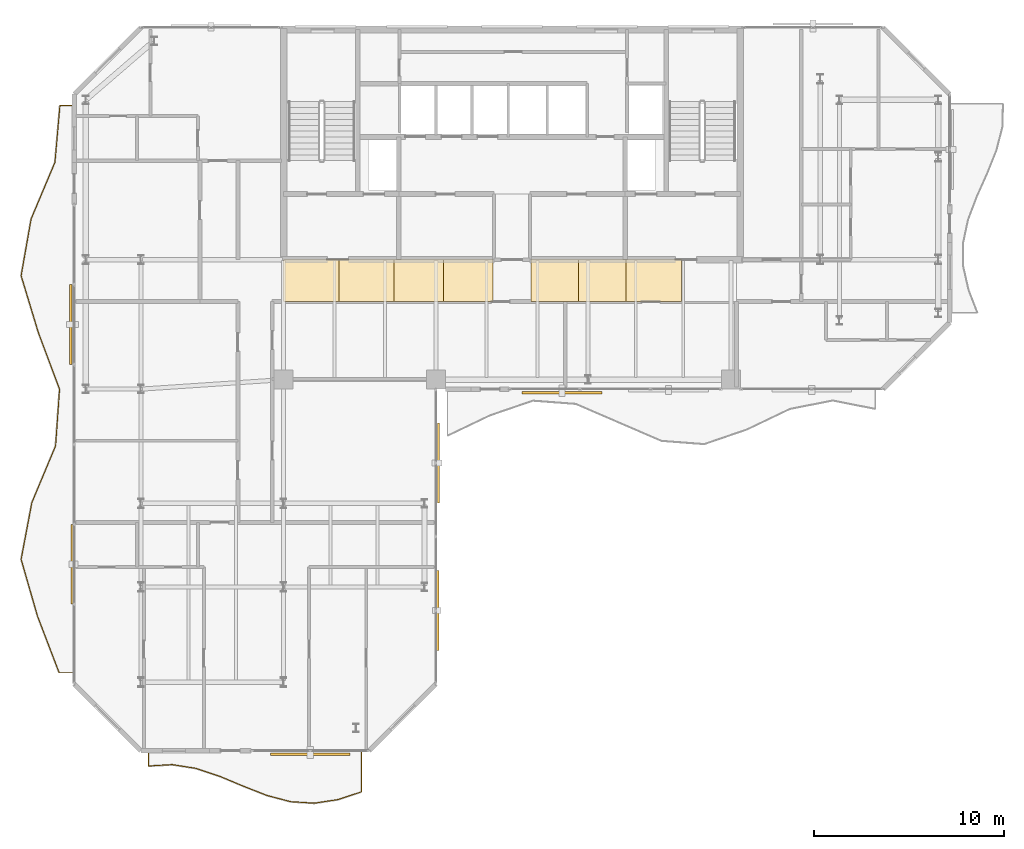
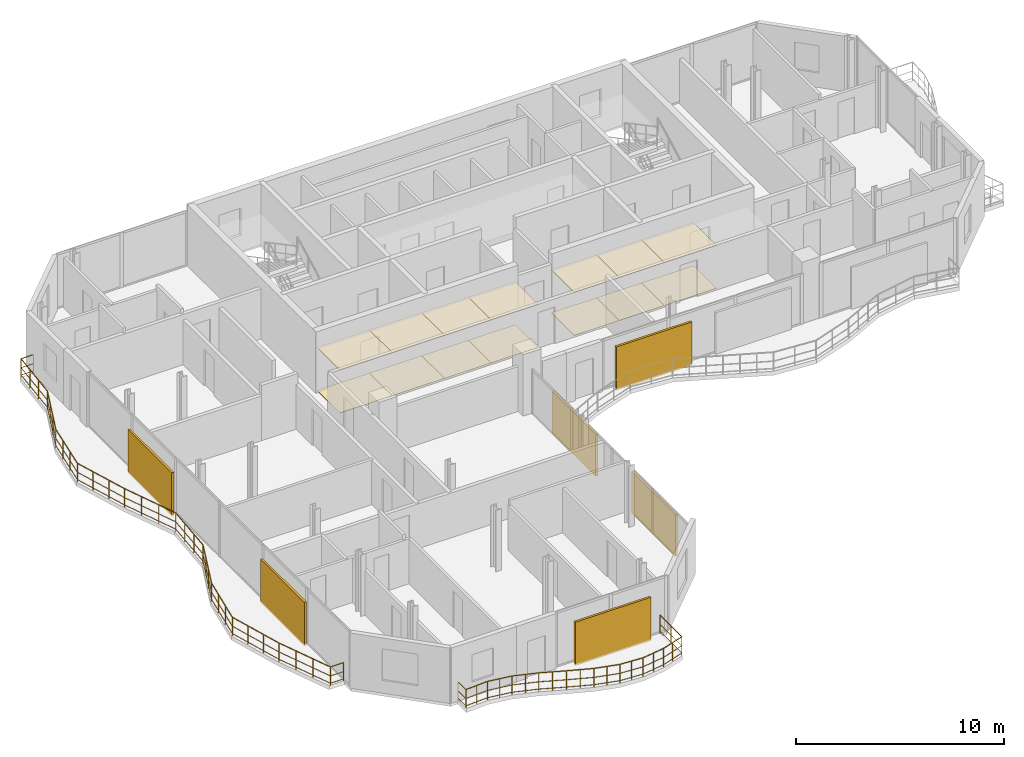
# One storey, part 21 of 23: 14 coverings, 6 shading devices, 2 railings.
"""IFC4 building model written with IfcOpenShell, lengths in metres."""

from ifc_helpers import new_model, si_unit, direction, frame, origin, origin_2d, place, context, subcontext, project, spatial, polyline, rectangle, circle, outline, extrude, material, layer, layer_set, type_object, element, save


model = new_model("IFC4")

# Units and contexts
model_context = context("Model", 3, precision=1e-05, world=origin(), true_north=direction((0.0, 1.0)))
body_context = subcontext(model_context, "Body", "Model", "MODEL_VIEW")
ifc_project = project(units=[si_unit("LENGTHUNIT", "METRE"), si_unit("AREAUNIT", "SQUARE_METRE"), si_unit("VOLUMEUNIT", "CUBIC_METRE"), si_unit("PLANEANGLEUNIT", "RADIAN"), si_unit("MASSUNIT", "GRAM", prefix="KILO")], contexts=[model_context])

# Site, building, storey
site_placement = place(None, origin())
site = spatial("IfcSite", under=ifc_project, at=site_placement, CompositionType="ELEMENT")
building_placement = place(site_placement, origin())
building = spatial("IfcBuilding", under=site, at=building_placement, Name="Catumbela Crestline Tower", CompositionType="ELEMENT")
storey_placement = place(building_placement, frame((0.0, 0.0, 204.6)))
storey = spatial("IfcBuildingStorey", under=building, at=storey_placement, Name="L53", CompositionType="ELEMENT", Elevation=204.6)

# Coverings
ifc_material_1 = material(Name="Mineral-fibre acoustic ceiling")
ifc_layer_1 = layer(ifc_material_1, 0.03, Name="Mineral-fibre acoustic ceiling")
ifc_layer_set_1 = layer_set([ifc_layer_1], Name="Mineral-fibre acoustic ceiling")
covering_type_1 = type_object("IfcCoveringType", Name="CC-AC", PredefinedType="CEILING", material=ifc_layer_set_1)
covering_1_placement = place(storey_placement, frame((0.0, 0.0, 2.52)))
element("IfcCovering", 1, at=covering_1_placement, inside=storey, type_object=covering_type_1, Name="L53 Corridor Acoustic Ceiling Bay 1", PredefinedType="CEILING", context=body_context, shape_type="SweptSolid", body=[
    extrude(outline(polyline([(16.0, 28.6), (18.9, 28.6), (18.9, 30.8), (16.0, 30.8), (16.0, 28.6)])), origin(), (0.0, 0.0, 1.0), 0.03),
])
covering_2_placement = place(storey_placement, frame((0.0, 0.0, 2.52)))
element("IfcCovering", 2, at=covering_2_placement, inside=storey, type_object=covering_type_1, Name="L53 Corridor Acoustic Ceiling Bay 2", PredefinedType="CEILING", context=body_context, shape_type="SweptSolid", body=[
    extrude(outline(polyline([(18.9, 28.6), (21.8, 28.6), (21.8, 30.8), (18.9, 30.8), (18.9, 28.6)])), origin(), (0.0, 0.0, 1.0), 0.03),
])
covering_3_placement = place(storey_placement, frame((0.0, 0.0, 2.52)))
element("IfcCovering", 3, at=covering_3_placement, inside=storey, type_object=covering_type_1, Name="L53 Corridor Acoustic Ceiling Bay 3", PredefinedType="CEILING", context=body_context, shape_type="SweptSolid", body=[
    extrude(outline(polyline([(21.8, 28.6), (24.4, 28.6), (24.4, 30.8), (21.8, 30.8), (21.8, 28.6)])), origin(), (0.0, 0.0, 1.0), 0.03),
])
covering_4_placement = place(storey_placement, frame((0.0, 0.0, 2.52)))
element("IfcCovering", 4, at=covering_4_placement, inside=storey, type_object=covering_type_1, Name="L53 Corridor Acoustic Ceiling Bay 4", PredefinedType="CEILING", context=body_context, shape_type="SweptSolid", body=[
    extrude(outline(polyline([(24.4, 28.6), (27.0, 28.6), (27.0, 30.8), (24.4, 30.8), (24.4, 28.6)])), origin(), (0.0, 0.0, 1.0), 0.03),
])
covering_5_placement = place(storey_placement, frame((0.0, 0.0, 2.52)))
element("IfcCovering", 5, at=covering_5_placement, inside=storey, type_object=covering_type_1, Name="L53 Corridor Acoustic Ceiling Bay 5", PredefinedType="CEILING", context=body_context, shape_type="SweptSolid", body=[
    extrude(outline(polyline([(29.0, 28.6), (31.5, 28.6), (31.5, 30.8), (29.0, 30.8), (29.0, 28.6)])), origin(), (0.0, 0.0, 1.0), 0.03),
])
covering_6_placement = place(storey_placement, frame((0.0, 0.0, 2.52)))
element("IfcCovering", 6, at=covering_6_placement, inside=storey, type_object=covering_type_1, Name="L53 Corridor Acoustic Ceiling Bay 6", PredefinedType="CEILING", context=body_context, shape_type="SweptSolid", body=[
    extrude(outline(polyline([(31.5, 28.6), (34.0, 28.6), (34.0, 30.8), (31.5, 30.8), (31.5, 28.6)])), origin(), (0.0, 0.0, 1.0), 0.03),
])
covering_7_placement = place(storey_placement, frame((0.0, 0.0, 2.52)))
element("IfcCovering", 7, at=covering_7_placement, inside=storey, type_object=covering_type_1, Name="L53 Corridor Acoustic Ceiling Bay 7", PredefinedType="CEILING", context=body_context, shape_type="SweptSolid", body=[
    extrude(outline(polyline([(34.0, 28.6), (36.9, 28.6), (36.9, 30.8), (34.0, 30.8), (34.0, 28.6)])), origin(), (0.0, 0.0, 1.0), 0.03),
])
ifc_material_2 = material(Name="Angolan grey-ochre granite", Category="masonry")
ifc_layer_2 = layer(ifc_material_2, 0.025, Name="Angolan grey-ochre granite")
ifc_layer_set_2 = layer_set([ifc_layer_2], Name="Angolan grey-ochre granite")
covering_type_2 = type_object("IfcCoveringType", Name="CF-GR", PredefinedType="FLOORING", material=ifc_layer_set_2)
covering_8_placement = place(storey_placement, origin())
element("IfcCovering", 8, at=covering_8_placement, inside=storey, type_object=covering_type_2, Name="L53 Corridor Granite Flooring Bay 1", PredefinedType="FLOORING", context=body_context, shape_type="SweptSolid", body=[
    extrude(outline(polyline([(16.0, 28.6), (18.9, 28.6), (18.9, 30.8), (16.0, 30.8), (16.0, 28.6)])), origin(), (0.0, 0.0, 1.0), 0.025),
])
covering_9_placement = place(storey_placement, origin())
element("IfcCovering", 9, at=covering_9_placement, inside=storey, type_object=covering_type_2, Name="L53 Corridor Granite Flooring Bay 2", PredefinedType="FLOORING", context=body_context, shape_type="SweptSolid", body=[
    extrude(outline(polyline([(18.9, 28.6), (21.8, 28.6), (21.8, 30.8), (18.9, 30.8), (18.9, 28.6)])), origin(), (0.0, 0.0, 1.0), 0.025),
])
covering_10_placement = place(storey_placement, origin())
element("IfcCovering", 10, at=covering_10_placement, inside=storey, type_object=covering_type_2, Name="L53 Corridor Granite Flooring Bay 3", PredefinedType="FLOORING", context=body_context, shape_type="SweptSolid", body=[
    extrude(outline(polyline([(21.8, 28.6), (24.4, 28.6), (24.4, 30.8), (21.8, 30.8), (21.8, 28.6)])), origin(), (0.0, 0.0, 1.0), 0.025),
])
covering_11_placement = place(storey_placement, origin())
element("IfcCovering", 11, at=covering_11_placement, inside=storey, type_object=covering_type_2, Name="L53 Corridor Granite Flooring Bay 4", PredefinedType="FLOORING", context=body_context, shape_type="SweptSolid", body=[
    extrude(outline(polyline([(24.4, 28.6), (27.0, 28.6), (27.0, 30.8), (24.4, 30.8), (24.4, 28.6)])), origin(), (0.0, 0.0, 1.0), 0.025),
])
covering_12_placement = place(storey_placement, origin())
element("IfcCovering", 12, at=covering_12_placement, inside=storey, type_object=covering_type_2, Name="L53 Corridor Granite Flooring Bay 5", PredefinedType="FLOORING", context=body_context, shape_type="SweptSolid", body=[
    extrude(outline(polyline([(29.0, 28.6), (31.5, 28.6), (31.5, 30.8), (29.0, 30.8), (29.0, 28.6)])), origin(), (0.0, 0.0, 1.0), 0.025),
])
covering_13_placement = place(storey_placement, origin())
element("IfcCovering", 13, at=covering_13_placement, inside=storey, type_object=covering_type_2, Name="L53 Corridor Granite Flooring Bay 6", PredefinedType="FLOORING", context=body_context, shape_type="SweptSolid", body=[
    extrude(outline(polyline([(31.5, 28.6), (34.0, 28.6), (34.0, 30.8), (31.5, 30.8), (31.5, 28.6)])), origin(), (0.0, 0.0, 1.0), 0.025),
])
covering_14_placement = place(storey_placement, origin())
element("IfcCovering", 14, at=covering_14_placement, inside=storey, type_object=covering_type_2, Name="L53 Corridor Granite Flooring Bay 7", PredefinedType="FLOORING", context=body_context, shape_type="SweptSolid", body=[
    extrude(outline(polyline([(34.0, 28.6), (36.9, 28.6), (36.9, 30.8), (34.0, 30.8), (34.0, 28.6)])), origin(), (0.0, 0.0, 1.0), 0.025),
])

# Railings
ifc_material_3 = material(Name="Stainless steel EN 1.4401", Category="steel")
railing_type = type_object("IfcRailingType", Name="RB-1100", PredefinedType="BALUSTRADE", material=ifc_material_3)
railing_1_placement = place(storey_placement, frame((8.9, 4.94, 0.0)))
element("IfcRailing", 15, at=railing_1_placement, inside=storey, type_object=railing_type, Name="L53 Private Wave Balcony Balustrade 3", PredefinedType="BALUSTRADE", context=body_context, shape_type="SweptSolid", body=[
    extrude(circle(Radius=0.024, at=origin_2d()), frame((0.0, 0.0, 1.076), z_axis=(0.0, -1.0, 0.0), x_axis=(1.0, 0.0, 0.0)), (0.0, 0.0, 1.0), 0.7402),
    extrude(circle(Radius=0.0156, at=origin_2d()), frame((0.0, 0.0, 0.55), z_axis=(0.0, -1.0, 0.0), x_axis=(1.0, 0.0, 0.0)), (0.0, 0.0, 1.0), 0.7402),
    extrude(circle(Radius=0.0156, at=origin_2d()), frame((0.0, 0.0, 0.12), z_axis=(0.0, -1.0, 0.0), x_axis=(1.0, 0.0, 0.0)), (0.0, 0.0, 1.0), 0.7402),
    extrude(circle(Radius=0.024, at=origin_2d()), frame((0.0, -0.7402, 1.076), z_axis=(0.998302474505, 0.058242333373, 0.0), x_axis=(-0.058242333373, 0.998302474505, 0.0)), (0.0, 0.0, 1.0), 1.2465),
    extrude(circle(Radius=0.0156, at=origin_2d()), frame((0.0, -0.7402, 0.55), z_axis=(0.998302474505, 0.058242333373, 0.0), x_axis=(-0.058242333373, 0.998302474505, 0.0)), (0.0, 0.0, 1.0), 1.2465),
    extrude(circle(Radius=0.0156, at=origin_2d()), frame((0.0, -0.7402, 0.12), z_axis=(0.998302474505, 0.058242333373, 0.0), x_axis=(-0.058242333373, 0.998302474505, 0.0)), (0.0, 0.0, 1.0), 1.2465),
    extrude(circle(Radius=0.024, at=origin_2d()), frame((1.2444, -0.6676, 1.076), z_axis=(0.987775189756, -0.155885132397, 0.0), x_axis=(0.155885132397, 0.987775189756, 0.0)), (0.0, 0.0, 1.0), 1.2599),
    extrude(circle(Radius=0.0156, at=origin_2d()), frame((1.2444, -0.6676, 0.55), z_axis=(0.987775189756, -0.155885132397, 0.0), x_axis=(0.155885132397, 0.987775189756, 0.0)), (0.0, 0.0, 1.0), 1.2599),
    extrude(circle(Radius=0.0156, at=origin_2d()), frame((1.2444, -0.6676, 0.12), z_axis=(0.987775189756, -0.155885132397, 0.0), x_axis=(0.155885132397, 0.987775189756, 0.0)), (0.0, 0.0, 1.0), 1.2599),
    extrude(circle(Radius=0.024, at=origin_2d()), frame((2.4889, -0.864, 1.076), z_axis=(0.949071544153, -0.315060635559, 0.0), x_axis=(0.315060635559, 0.949071544153, 0.0)), (0.0, 0.0, 1.0), 1.3112),
    extrude(circle(Radius=0.0156, at=origin_2d()), frame((2.4889, -0.864, 0.55), z_axis=(0.949071544153, -0.315060635559, 0.0), x_axis=(0.315060635559, 0.949071544153, 0.0)), (0.0, 0.0, 1.0), 1.3112),
    extrude(circle(Radius=0.0156, at=origin_2d()), frame((2.4889, -0.864, 0.12), z_axis=(0.949071544153, -0.315060635559, 0.0), x_axis=(0.315060635559, 0.949071544153, 0.0)), (0.0, 0.0, 1.0), 1.3112),
    extrude(circle(Radius=0.024, at=origin_2d()), frame((3.7333, -1.2771, 1.076), z_axis=(0.922666218007, -0.385599598221, 0.0), x_axis=(0.385599598221, 0.922666218007, 0.0)), (0.0, 0.0, 1.0), 1.3488),
    extrude(circle(Radius=0.0156, at=origin_2d()), frame((3.7333, -1.2771, 0.55), z_axis=(0.922666218007, -0.385599598221, 0.0), x_axis=(0.385599598221, 0.922666218007, 0.0)), (0.0, 0.0, 1.0), 1.3488),
    extrude(circle(Radius=0.0156, at=origin_2d()), frame((3.7333, -1.2771, 0.12), z_axis=(0.922666218007, -0.385599598221, 0.0), x_axis=(0.385599598221, 0.922666218007, 0.0)), (0.0, 0.0, 1.0), 1.3488),
    extrude(circle(Radius=0.024, at=origin_2d()), frame((4.9778, -1.7972, 1.076), z_axis=(0.930718762797, -0.365735675834, 0.0), x_axis=(0.365735675834, 0.930718762797, 0.0)), (0.0, 0.0, 1.0), 1.337),
    extrude(circle(Radius=0.0156, at=origin_2d()), frame((4.9778, -1.7972, 0.55), z_axis=(0.930718762797, -0.365735675834, 0.0), x_axis=(0.365735675834, 0.930718762797, 0.0)), (0.0, 0.0, 1.0), 1.337),
    extrude(circle(Radius=0.0156, at=origin_2d()), frame((4.9778, -1.7972, 0.12), z_axis=(0.930718762797, -0.365735675834, 0.0), x_axis=(0.365735675834, 0.930718762797, 0.0)), (0.0, 0.0, 1.0), 1.337),
    extrude(circle(Radius=0.024, at=origin_2d()), frame((6.2222, -2.2862, 1.076), z_axis=(0.96697885349, -0.254856620285, 0.0), x_axis=(0.254856620285, 0.96697885349, 0.0)), (0.0, 0.0, 1.0), 1.287),
    extrude(circle(Radius=0.0156, at=origin_2d()), frame((6.2222, -2.2862, 0.55), z_axis=(0.96697885349, -0.254856620285, 0.0), x_axis=(0.254856620285, 0.96697885349, 0.0)), (0.0, 0.0, 1.0), 1.287),
    extrude(circle(Radius=0.0156, at=origin_2d()), frame((6.2222, -2.2862, 0.12), z_axis=(0.96697885349, -0.254856620285, 0.0), x_axis=(0.254856620285, 0.96697885349, 0.0)), (0.0, 0.0, 1.0), 1.287),
    extrude(circle(Radius=0.024, at=origin_2d()), frame((7.4667, -2.6142, 1.076), z_axis=(0.997950165326, -0.063995839917, 0.0), x_axis=(0.063995839917, 0.997950165326, 0.0)), (0.0, 0.0, 1.0), 1.247),
    extrude(circle(Radius=0.0156, at=origin_2d()), frame((7.4667, -2.6142, 0.55), z_axis=(0.997950165326, -0.063995839917, 0.0), x_axis=(0.063995839917, 0.997950165326, 0.0)), (0.0, 0.0, 1.0), 1.247),
    extrude(circle(Radius=0.0156, at=origin_2d()), frame((7.4667, -2.6142, 0.12), z_axis=(0.997950165326, -0.063995839917, 0.0), x_axis=(0.063995839917, 0.997950165326, 0.0)), (0.0, 0.0, 1.0), 1.247),
    extrude(circle(Radius=0.024, at=origin_2d()), frame((8.7111, -2.694, 1.076), z_axis=(0.98860470661, 0.15053482676, 0.0), x_axis=(-0.15053482676, 0.98860470661, 0.0)), (0.0, 0.0, 1.0), 1.2588),
    extrude(circle(Radius=0.0156, at=origin_2d()), frame((8.7111, -2.694, 0.55), z_axis=(0.98860470661, 0.15053482676, 0.0), x_axis=(-0.15053482676, 0.98860470661, 0.0)), (0.0, 0.0, 1.0), 1.2588),
    extrude(circle(Radius=0.0156, at=origin_2d()), frame((8.7111, -2.694, 0.12), z_axis=(0.98860470661, 0.15053482676, 0.0), x_axis=(-0.15053482676, 0.98860470661, 0.0)), (0.0, 0.0, 1.0), 1.2588),
    extrude(circle(Radius=0.024, at=origin_2d()), frame((9.9556, -2.5045, 1.076), z_axis=(0.950116461378, 0.31189535075, 0.0), x_axis=(-0.31189535075, 0.950116461378, 0.0)), (0.0, 0.0, 1.0), 1.3097),
    extrude(circle(Radius=0.0156, at=origin_2d()), frame((9.9556, -2.5045, 0.55), z_axis=(0.950116461378, 0.31189535075, 0.0), x_axis=(-0.31189535075, 0.950116461378, 0.0)), (0.0, 0.0, 1.0), 1.3097),
    extrude(circle(Radius=0.0156, at=origin_2d()), frame((9.9556, -2.5045, 0.12), z_axis=(0.950116461378, 0.31189535075, 0.0), x_axis=(-0.31189535075, 0.950116461378, 0.0)), (0.0, 0.0, 1.0), 1.3097),
    extrude(circle(Radius=0.024, at=origin_2d()), frame((11.2, -2.096, 1.076), z_axis=(0.0, 1.0, 0.0), x_axis=(-1.0, 0.0, 0.0)), (0.0, 0.0, 1.0), 2.096),
    extrude(circle(Radius=0.0156, at=origin_2d()), frame((11.2, -2.096, 0.55), z_axis=(0.0, 1.0, 0.0), x_axis=(-1.0, 0.0, 0.0)), (0.0, 0.0, 1.0), 2.096),
    extrude(circle(Radius=0.0156, at=origin_2d()), frame((11.2, -2.096, 0.12), z_axis=(0.0, 1.0, 0.0), x_axis=(-1.0, 0.0, 0.0)), (0.0, 0.0, 1.0), 2.096),
    extrude(circle(Radius=0.021, at=origin_2d()), origin(), (0.0, 0.0, 1.0), 1.052),
    extrude(circle(Radius=0.021, at=origin_2d()), frame((0.0, -0.7402, 0.0)), (0.0, 0.0, 1.0), 1.052),
    extrude(circle(Radius=0.021, at=origin_2d()), frame((0.6222, -0.7039, 0.0)), (0.0, 0.0, 1.0), 1.052),
    extrude(circle(Radius=0.021, at=origin_2d()), frame((1.2444, -0.6676, 0.0)), (0.0, 0.0, 1.0), 1.052),
    extrude(circle(Radius=0.021, at=origin_2d()), frame((1.8666, -0.7658, 0.0)), (0.0, 0.0, 1.0), 1.052),
    extrude(circle(Radius=0.021, at=origin_2d()), frame((2.4889, -0.864, 0.0)), (0.0, 0.0, 1.0), 1.052),
    extrude(circle(Radius=0.021, at=origin_2d()), frame((3.1111, -1.0706, 0.0)), (0.0, 0.0, 1.0), 1.052),
    extrude(circle(Radius=0.021, at=origin_2d()), frame((3.7333, -1.2771, 0.0)), (0.0, 0.0, 1.0), 1.052),
    extrude(circle(Radius=0.021, at=origin_2d()), frame((4.3556, -1.5372, 0.0)), (0.0, 0.0, 1.0), 1.052),
    extrude(circle(Radius=0.021, at=origin_2d()), frame((4.9778, -1.7972, 0.0)), (0.0, 0.0, 1.0), 1.052),
    extrude(circle(Radius=0.021, at=origin_2d()), frame((5.6, -2.0417, 0.0)), (0.0, 0.0, 1.0), 1.052),
    extrude(circle(Radius=0.021, at=origin_2d()), frame((6.2222, -2.2862, 0.0)), (0.0, 0.0, 1.0), 1.052),
    extrude(circle(Radius=0.021, at=origin_2d()), frame((6.8444, -2.4502, 0.0)), (0.0, 0.0, 1.0), 1.052),
    extrude(circle(Radius=0.021, at=origin_2d()), frame((7.4667, -2.6142, 0.0)), (0.0, 0.0, 1.0), 1.052),
    extrude(circle(Radius=0.021, at=origin_2d()), frame((8.0889, -2.6541, 0.0)), (0.0, 0.0, 1.0), 1.052),
    extrude(circle(Radius=0.021, at=origin_2d()), frame((8.7111, -2.694, 0.0)), (0.0, 0.0, 1.0), 1.052),
    extrude(circle(Radius=0.021, at=origin_2d()), frame((9.3334, -2.5993, 0.0)), (0.0, 0.0, 1.0), 1.052),
    extrude(circle(Radius=0.021, at=origin_2d()), frame((9.9556, -2.5045, 0.0)), (0.0, 0.0, 1.0), 1.052),
    extrude(circle(Radius=0.021, at=origin_2d()), frame((10.5778, -2.3002, 0.0)), (0.0, 0.0, 1.0), 1.052),
    extrude(circle(Radius=0.021, at=origin_2d()), frame((11.2, -2.096, 0.0)), (0.0, 0.0, 1.0), 1.052),
    extrude(circle(Radius=0.021, at=origin_2d()), frame((11.2, -1.048, 0.0)), (0.0, 0.0, 1.0), 1.052),
    extrude(circle(Radius=0.021, at=origin_2d()), frame((11.2, 0.0, 0.0)), (0.0, 0.0, 1.0), 1.052),
])
railing_2_placement = place(storey_placement, frame((4.94, 38.9, 0.0)))
element("IfcRailing", 16, at=railing_2_placement, inside=storey, type_object=railing_type, Name="L53 Private Wave Balcony Balustrade 4", PredefinedType="BALUSTRADE", context=body_context, shape_type="SweptSolid", body=[
    extrude(circle(Radius=0.024, at=origin_2d()), frame((0.0, 0.0, 1.076), z_axis=(-1.0, 0.0, 0.0), x_axis=(0.0, -1.0, 0.0)), (0.0, 0.0, 1.0), 0.6926),
    extrude(circle(Radius=0.0156, at=origin_2d()), frame((0.0, 0.0, 0.55), z_axis=(-1.0, 0.0, 0.0), x_axis=(0.0, -1.0, 0.0)), (0.0, 0.0, 1.0), 0.6926),
    extrude(circle(Radius=0.0156, at=origin_2d()), frame((0.0, 0.0, 0.12), z_axis=(-1.0, 0.0, 0.0), x_axis=(0.0, -1.0, 0.0)), (0.0, 0.0, 1.0), 0.6926),
    extrude(circle(Radius=0.024, at=origin_2d()), frame((-0.6926, 0.0, 1.076), z_axis=(-0.086752236148, -0.996229918003, 0.0), x_axis=(0.996229918003, -0.086752236148, 0.0)), (0.0, 0.0, 1.0), 2.9913),
    extrude(circle(Radius=0.0156, at=origin_2d()), frame((-0.6926, 0.0, 0.55), z_axis=(-0.086752236148, -0.996229918003, 0.0), x_axis=(0.996229918003, -0.086752236148, 0.0)), (0.0, 0.0, 1.0), 2.9913),
    extrude(circle(Radius=0.0156, at=origin_2d()), frame((-0.6926, 0.0, 0.12), z_axis=(-0.086752236148, -0.996229918003, 0.0), x_axis=(0.996229918003, -0.086752236148, 0.0)), (0.0, 0.0, 1.0), 2.9913),
    extrude(circle(Radius=0.024, at=origin_2d()), frame((-0.9521, -2.98, 1.076), z_axis=(-0.387810849526, -0.921738978773, 0.0), x_axis=(0.921738978773, -0.387810849526, 0.0)), (0.0, 0.0, 1.0), 3.233),
    extrude(circle(Radius=0.0156, at=origin_2d()), frame((-0.9521, -2.98, 0.55), z_axis=(-0.387810849526, -0.921738978773, 0.0), x_axis=(0.921738978773, -0.387810849526, 0.0)), (0.0, 0.0, 1.0), 3.233),
    extrude(circle(Radius=0.0156, at=origin_2d()), frame((-0.9521, -2.98, 0.12), z_axis=(-0.387810849526, -0.921738978773, 0.0), x_axis=(0.921738978773, -0.387810849526, 0.0)), (0.0, 0.0, 1.0), 3.233),
    extrude(circle(Radius=0.024, at=origin_2d()), frame((-2.2059, -5.96, 1.076), z_axis=(-0.173214031015, -0.984884206117, 0.0), x_axis=(0.984884206117, -0.173214031015, 0.0)), (0.0, 0.0, 1.0), 3.0257),
    extrude(circle(Radius=0.0156, at=origin_2d()), frame((-2.2059, -5.96, 0.55), z_axis=(-0.173214031015, -0.984884206117, 0.0), x_axis=(0.984884206117, -0.173214031015, 0.0)), (0.0, 0.0, 1.0), 3.0257),
    extrude(circle(Radius=0.0156, at=origin_2d()), frame((-2.2059, -5.96, 0.12), z_axis=(-0.173214031015, -0.984884206117, 0.0), x_axis=(0.984884206117, -0.173214031015, 0.0)), (0.0, 0.0, 1.0), 3.0257),
    extrude(circle(Radius=0.024, at=origin_2d()), frame((-2.73, -8.94, 1.076), z_axis=(0.290027895688, -0.95701819195, 0.0), x_axis=(0.95701819195, 0.290027895688, 0.0)), (0.0, 0.0, 1.0), 3.1138),
    extrude(circle(Radius=0.0156, at=origin_2d()), frame((-2.73, -8.94, 0.55), z_axis=(0.290027895688, -0.95701819195, 0.0), x_axis=(0.95701819195, 0.290027895688, 0.0)), (0.0, 0.0, 1.0), 3.1138),
    extrude(circle(Radius=0.0156, at=origin_2d()), frame((-2.73, -8.94, 0.12), z_axis=(0.290027895688, -0.95701819195, 0.0), x_axis=(0.95701819195, 0.290027895688, 0.0)), (0.0, 0.0, 1.0), 3.1138),
    extrude(circle(Radius=0.024, at=origin_2d()), frame((-1.8269, -11.92, 1.076), z_axis=(0.350462058547, -0.936576929846, 0.0), x_axis=(0.936576929846, 0.350462058547, 0.0)), (0.0, 0.0, 1.0), 3.1818),
    extrude(circle(Radius=0.0156, at=origin_2d()), frame((-1.8269, -11.92, 0.55), z_axis=(0.350462058547, -0.936576929846, 0.0), x_axis=(0.936576929846, 0.350462058547, 0.0)), (0.0, 0.0, 1.0), 3.1818),
    extrude(circle(Radius=0.0156, at=origin_2d()), frame((-1.8269, -11.92, 0.12), z_axis=(0.350462058547, -0.936576929846, 0.0), x_axis=(0.936576929846, 0.350462058547, 0.0)), (0.0, 0.0, 1.0), 3.1818),
    extrude(circle(Radius=0.024, at=origin_2d()), frame((-0.7118, -14.9, 1.076), z_axis=(-0.069462682638, -0.997584550663, 0.0), x_axis=(0.997584550663, -0.069462682638, 0.0)), (0.0, 0.0, 1.0), 2.9872),
    extrude(circle(Radius=0.0156, at=origin_2d()), frame((-0.7118, -14.9, 0.55), z_axis=(-0.069462682638, -0.997584550663, 0.0), x_axis=(0.997584550663, -0.069462682638, 0.0)), (0.0, 0.0, 1.0), 2.9872),
    extrude(circle(Radius=0.0156, at=origin_2d()), frame((-0.7118, -14.9, 0.12), z_axis=(-0.069462682638, -0.997584550663, 0.0), x_axis=(0.997584550663, -0.069462682638, 0.0)), (0.0, 0.0, 1.0), 2.9872),
    extrude(circle(Radius=0.024, at=origin_2d()), frame((-0.9193, -17.88, 1.076), z_axis=(-0.385942663406, -0.922522769672, 0.0), x_axis=(0.922522769672, -0.385942663406, 0.0)), (0.0, 0.0, 1.0), 3.2303),
    extrude(circle(Radius=0.0156, at=origin_2d()), frame((-0.9193, -17.88, 0.55), z_axis=(-0.385942663406, -0.922522769672, 0.0), x_axis=(0.922522769672, -0.385942663406, 0.0)), (0.0, 0.0, 1.0), 3.2303),
    extrude(circle(Radius=0.0156, at=origin_2d()), frame((-0.9193, -17.88, 0.12), z_axis=(-0.385942663406, -0.922522769672, 0.0), x_axis=(0.922522769672, -0.385942663406, 0.0)), (0.0, 0.0, 1.0), 3.2303),
    extrude(circle(Radius=0.024, at=origin_2d()), frame((-2.166, -20.86, 1.076), z_axis=(-0.185960494368, -0.982557222015, 0.0), x_axis=(0.982557222015, -0.185960494368, 0.0)), (0.0, 0.0, 1.0), 3.0329),
    extrude(circle(Radius=0.0156, at=origin_2d()), frame((-2.166, -20.86, 0.55), z_axis=(-0.185960494368, -0.982557222015, 0.0), x_axis=(0.982557222015, -0.185960494368, 0.0)), (0.0, 0.0, 1.0), 3.0329),
    extrude(circle(Radius=0.0156, at=origin_2d()), frame((-2.166, -20.86, 0.12), z_axis=(-0.185960494368, -0.982557222015, 0.0), x_axis=(0.982557222015, -0.185960494368, 0.0)), (0.0, 0.0, 1.0), 3.0329),
    extrude(circle(Radius=0.024, at=origin_2d()), frame((-2.73, -23.84, 1.076), z_axis=(0.276798825802, -0.960927890133, 0.0), x_axis=(0.960927890133, 0.276798825802, 0.0)), (0.0, 0.0, 1.0), 3.1012),
    extrude(circle(Radius=0.0156, at=origin_2d()), frame((-2.73, -23.84, 0.55), z_axis=(0.276798825802, -0.960927890133, 0.0), x_axis=(0.960927890133, 0.276798825802, 0.0)), (0.0, 0.0, 1.0), 3.1012),
    extrude(circle(Radius=0.0156, at=origin_2d()), frame((-2.73, -23.84, 0.12), z_axis=(0.276798825802, -0.960927890133, 0.0), x_axis=(0.960927890133, 0.276798825802, 0.0)), (0.0, 0.0, 1.0), 3.1012),
    extrude(circle(Radius=0.024, at=origin_2d()), frame((-1.8716, -26.82, 1.076), z_axis=(0.356997506143, -0.934105336998, 0.0), x_axis=(0.934105336998, 0.356997506143, 0.0)), (0.0, 0.0, 1.0), 3.1902),
    extrude(circle(Radius=0.0156, at=origin_2d()), frame((-1.8716, -26.82, 0.55), z_axis=(0.356997506143, -0.934105336998, 0.0), x_axis=(0.934105336998, 0.356997506143, 0.0)), (0.0, 0.0, 1.0), 3.1902),
    extrude(circle(Radius=0.0156, at=origin_2d()), frame((-1.8716, -26.82, 0.12), z_axis=(0.356997506143, -0.934105336998, 0.0), x_axis=(0.934105336998, 0.356997506143, 0.0)), (0.0, 0.0, 1.0), 3.1902),
    extrude(circle(Radius=0.024, at=origin_2d()), frame((-0.7327, -29.8, 1.076), z_axis=(1.0, 0.0, 0.0), x_axis=(0.0, 1.0, 0.0)), (0.0, 0.0, 1.0), 0.7327),
    extrude(circle(Radius=0.0156, at=origin_2d()), frame((-0.7327, -29.8, 0.55), z_axis=(1.0, 0.0, 0.0), x_axis=(0.0, 1.0, 0.0)), (0.0, 0.0, 1.0), 0.7327),
    extrude(circle(Radius=0.0156, at=origin_2d()), frame((-0.7327, -29.8, 0.12), z_axis=(1.0, 0.0, 0.0), x_axis=(0.0, 1.0, 0.0)), (0.0, 0.0, 1.0), 0.7327),
    extrude(circle(Radius=0.021, at=origin_2d()), origin(), (0.0, 0.0, 1.0), 1.052),
    extrude(circle(Radius=0.021, at=origin_2d()), frame((-0.6926, 0.0, 0.0)), (0.0, 0.0, 1.0), 1.052),
    extrude(circle(Radius=0.021, at=origin_2d()), frame((-0.7791, -0.9933, 0.0)), (0.0, 0.0, 1.0), 1.052),
    extrude(circle(Radius=0.021, at=origin_2d()), frame((-0.8656, -1.9867, 0.0)), (0.0, 0.0, 1.0), 1.052),
    extrude(circle(Radius=0.021, at=origin_2d()), frame((-0.9521, -2.98, 0.0)), (0.0, 0.0, 1.0), 1.052),
    extrude(circle(Radius=0.021, at=origin_2d()), frame((-1.37, -3.9733, 0.0)), (0.0, 0.0, 1.0), 1.052),
    extrude(circle(Radius=0.021, at=origin_2d()), frame((-1.788, -4.9667, 0.0)), (0.0, 0.0, 1.0), 1.052),
    extrude(circle(Radius=0.021, at=origin_2d()), frame((-2.2059, -5.96, 0.0)), (0.0, 0.0, 1.0), 1.052),
    extrude(circle(Radius=0.021, at=origin_2d()), frame((-2.3806, -6.9533, 0.0)), (0.0, 0.0, 1.0), 1.052),
    extrude(circle(Radius=0.021, at=origin_2d()), frame((-2.5553, -7.9467, 0.0)), (0.0, 0.0, 1.0), 1.052),
    extrude(circle(Radius=0.021, at=origin_2d()), frame((-2.73, -8.94, 0.0)), (0.0, 0.0, 1.0), 1.052),
    extrude(circle(Radius=0.021, at=origin_2d()), frame((-2.429, -9.9333, 0.0)), (0.0, 0.0, 1.0), 1.052),
    extrude(circle(Radius=0.021, at=origin_2d()), frame((-2.1279, -10.9267, 0.0)), (0.0, 0.0, 1.0), 1.052),
    extrude(circle(Radius=0.021, at=origin_2d()), frame((-1.8269, -11.92, 0.0)), (0.0, 0.0, 1.0), 1.052),
    extrude(circle(Radius=0.021, at=origin_2d()), frame((-1.4552, -12.9133, 0.0)), (0.0, 0.0, 1.0), 1.052),
    extrude(circle(Radius=0.021, at=origin_2d()), frame((-1.0835, -13.9067, 0.0)), (0.0, 0.0, 1.0), 1.052),
    extrude(circle(Radius=0.021, at=origin_2d()), frame((-0.7118, -14.9, 0.0)), (0.0, 0.0, 1.0), 1.052),
    extrude(circle(Radius=0.021, at=origin_2d()), frame((-0.781, -15.8933, 0.0)), (0.0, 0.0, 1.0), 1.052),
    extrude(circle(Radius=0.021, at=origin_2d()), frame((-0.8501, -16.8867, 0.0)), (0.0, 0.0, 1.0), 1.052),
    extrude(circle(Radius=0.021, at=origin_2d()), frame((-0.9193, -17.88, 0.0)), (0.0, 0.0, 1.0), 1.052),
    extrude(circle(Radius=0.021, at=origin_2d()), frame((-1.3349, -18.8733, 0.0)), (0.0, 0.0, 1.0), 1.052),
    extrude(circle(Radius=0.021, at=origin_2d()), frame((-1.7504, -19.8667, 0.0)), (0.0, 0.0, 1.0), 1.052),
    extrude(circle(Radius=0.021, at=origin_2d()), frame((-2.166, -20.86, 0.0)), (0.0, 0.0, 1.0), 1.052),
    extrude(circle(Radius=0.021, at=origin_2d()), frame((-2.354, -21.8533, 0.0)), (0.0, 0.0, 1.0), 1.052),
    extrude(circle(Radius=0.021, at=origin_2d()), frame((-2.542, -22.8467, 0.0)), (0.0, 0.0, 1.0), 1.052),
    extrude(circle(Radius=0.021, at=origin_2d()), frame((-2.73, -23.84, 0.0)), (0.0, 0.0, 1.0), 1.052),
    extrude(circle(Radius=0.021, at=origin_2d()), frame((-2.4439, -24.8333, 0.0)), (0.0, 0.0, 1.0), 1.052),
    extrude(circle(Radius=0.021, at=origin_2d()), frame((-2.1577, -25.8267, 0.0)), (0.0, 0.0, 1.0), 1.052),
    extrude(circle(Radius=0.021, at=origin_2d()), frame((-1.8716, -26.82, 0.0)), (0.0, 0.0, 1.0), 1.052),
    extrude(circle(Radius=0.021, at=origin_2d()), frame((-1.492, -27.8133, 0.0)), (0.0, 0.0, 1.0), 1.052),
    extrude(circle(Radius=0.021, at=origin_2d()), frame((-1.1123, -28.8067, 0.0)), (0.0, 0.0, 1.0), 1.052),
    extrude(circle(Radius=0.021, at=origin_2d()), frame((-0.7327, -29.8, 0.0)), (0.0, 0.0, 1.0), 1.052),
    extrude(circle(Radius=0.021, at=origin_2d()), frame((0.0, -29.8, 0.0)), (0.0, 0.0, 1.0), 1.052),
])

# Shading devices
ifc_material_4 = material(Name="Extruded terracotta ceramic", Category="masonry")
shading_device_type_1 = type_object("IfcShadingDeviceType", Name="ST-180", PredefinedType="USERDEFINED", material=ifc_material_4)
shading_device_1_placement = place(storey_placement, frame((24.099, 12.375, -0.1), z_axis=(0.0, 0.0, 1.0), x_axis=(0.0, 1.0, 0.0)))
element("IfcShadingDevice", 17, at=shading_device_1_placement, inside=storey, type_object=shading_device_type_1, Name="L53 Perforated Terracotta Solar Screen 641 (180 mm)", ObjectType="SCREEN", PredefinedType="USERDEFINED", context=body_context, shape_type="SweptSolid", body=[
    extrude(rectangle(XDim=4.2, YDim=0.12, at=origin_2d()), origin(), (0.0, 0.0, 1.0), 2.45),
])
shading_device_2_placement = place(storey_placement, frame((4.901, 14.8, -0.1), z_axis=(0.0, 0.0, 1.0), x_axis=(0.0, -1.0, 0.0)))
element("IfcShadingDevice", 18, at=shading_device_2_placement, inside=storey, type_object=shading_device_type_1, Name="L53 Perforated Terracotta Solar Screen 650 (180 mm)", ObjectType="SCREEN", PredefinedType="USERDEFINED", context=body_context, shape_type="SweptSolid", body=[
    extrude(rectangle(XDim=4.2, YDim=0.12, at=origin_2d()), origin(), (0.0, 0.0, 1.0), 2.55),
])
shading_device_type_2 = type_object("IfcShadingDeviceType", Name="ST-260", PredefinedType="USERDEFINED", material=ifc_material_4)
shading_device_3_placement = place(storey_placement, frame((24.143, 20.125, -0.1), z_axis=(0.0, 0.0, 1.0), x_axis=(0.0, 1.0, 0.0)))
element("IfcShadingDevice", 19, at=shading_device_3_placement, inside=storey, type_object=shading_device_type_2, Name="L53 Perforated Terracotta Solar Screen 642 (260 mm)", ObjectType="SCREEN", PredefinedType="USERDEFINED", context=body_context, shape_type="SweptSolid", body=[
    extrude(rectangle(XDim=4.2, YDim=0.12, at=origin_2d()), origin(), (0.0, 0.0, 1.0), 2.45),
])
shading_device_type_3 = type_object("IfcShadingDeviceType", Name="ST-340", PredefinedType="USERDEFINED", material=ifc_material_4)
for number, where, z_axis, x_axis, name in (
    (20, (17.4, 4.813, -0.1), (0.0, 0.0, 1.0), (1.0, 0.0, 0.0), "L53 Perforated Terracotta Solar Screen 640 (340 mm)"),
    (21, (30.6375, 23.813, -0.1), (0.0, 0.0, 1.0), (1.0, 0.0, 0.0), "L53 Perforated Terracotta Solar Screen 643 (340 mm)"),
    (22, (4.813, 27.4, -0.1), (0.0, 0.0, 1.0), (0.0, -1.0, 0.0), "L53 Perforated Terracotta Solar Screen 649 (340 mm)"),
):
    element("IfcShadingDevice", number, at=place(storey_placement, frame(where, z_axis=z_axis, x_axis=x_axis)), inside=storey, type_object=shading_device_type_3, Name=name, ObjectType="SCREEN", PredefinedType="USERDEFINED", context=body_context, shape_type="SweptSolid", body=[
        extrude(rectangle(XDim=4.2, YDim=0.12, at=origin_2d()), origin(), (0.0, 0.0, 1.0), 2.55),
    ])

save(model, "model.ifc")
